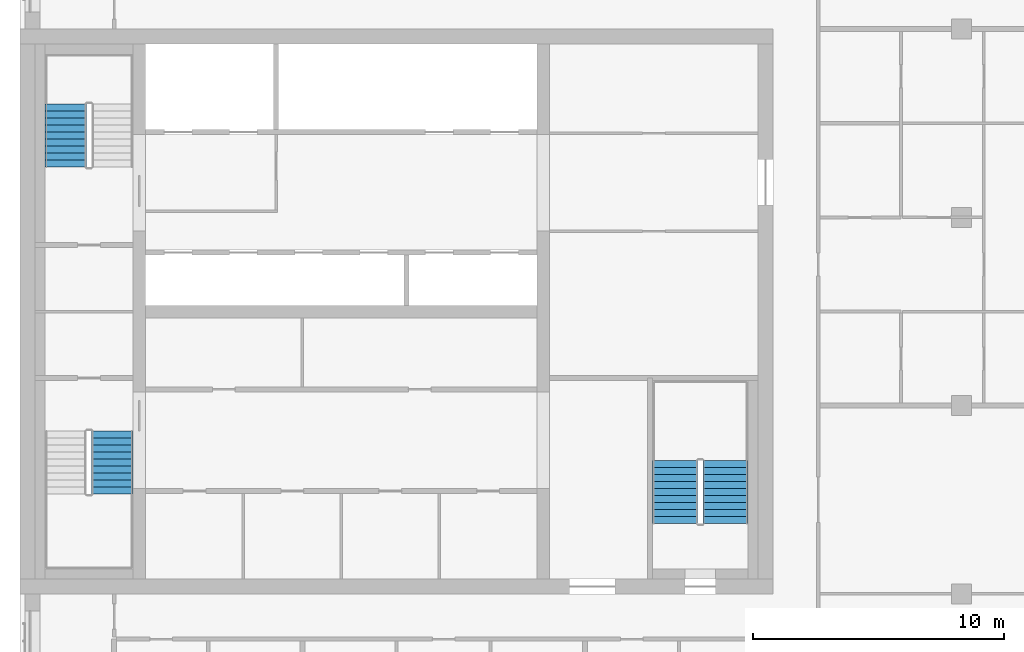
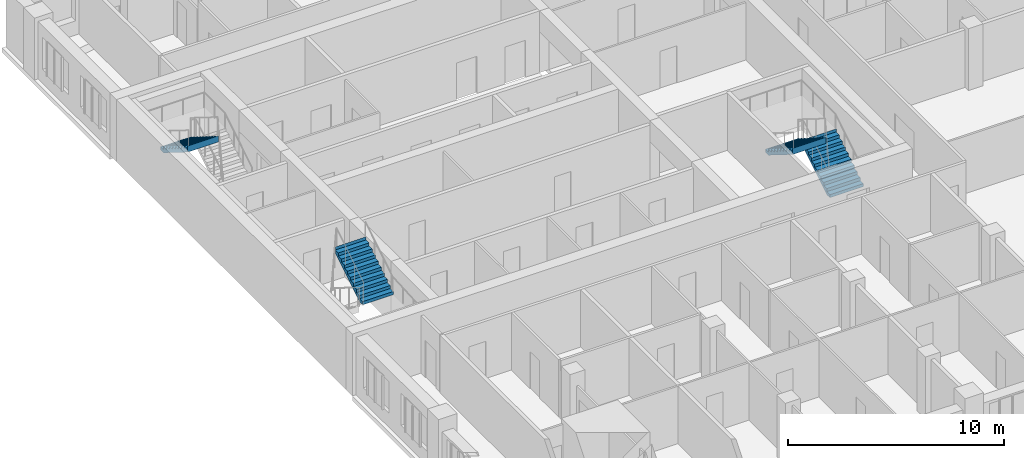
# One storey, part 9 of 11: 4 stair flights, 3 elements without a shape of their own.
"""IFC4 building model written with IfcOpenShell, lengths in metres."""

from ifc_helpers import new_model, si_unit, direction, frame, origin, place, context, subcontext, project, spatial, polyline, outline, extrude, material, type_object, element, aggregate, save


model = new_model("IFC4")

# Units and contexts
model_context = context("Model", 3, precision=1e-05, world=origin(), true_north=direction((0.0, 1.0)))
body_context = subcontext(model_context, "Body", "Model", "MODEL_VIEW")
ifc_project = project(units=[si_unit("LENGTHUNIT", "METRE"), si_unit("AREAUNIT", "SQUARE_METRE"), si_unit("VOLUMEUNIT", "CUBIC_METRE"), si_unit("PLANEANGLEUNIT", "RADIAN"), si_unit("MASSUNIT", "GRAM", prefix="KILO")], contexts=[model_context])

# Site, building, storey
site_placement = place(None, origin())
site = spatial("IfcSite", under=ifc_project, at=site_placement, CompositionType="ELEMENT")
building_placement = place(site_placement, origin())
building = spatial("IfcBuilding", under=site, at=building_placement, Name="Tamorin Gate", CompositionType="ELEMENT")
storey_placement = place(building_placement, frame((0.0, 0.0, 244.199951171875)))
storey = spatial("IfcBuildingStorey", under=building, at=storey_placement, Name="L61", CompositionType="ELEMENT", Elevation=244.199951171875)

# Stair, stair flight
ifc_material = material(Name="Concrete C40/50", Category="concrete")
stair_type = type_object("IfcStairType", Name="Exit stair", PredefinedType="HALF_TURN_STAIR", material=ifc_material)
stair_1_placement = place(storey_placement, origin())
stair_1 = element("IfcStair", 1, at=stair_1_placement, inside=storey, type_object=stair_type, Name="L61 stair ST1", PredefinedType="HALF_TURN_STAIR")
stair_flight_type = type_object("IfcStairFlightType", Name="Exit stair flight", PredefinedType="STRAIGHT", material=ifc_material)
stair_flight_1_placement = place(storey_placement, frame((33.675048828125, 63.97998046875, 1.75), z_axis=(0.0, 0.0, 1.0), x_axis=(0.0, 1.0, 0.0)))
stair_flight_1 = element("IfcStairFlight", 2, at=stair_flight_1_placement, type_object=stair_flight_type, Name="ST1 flight 2", NumberOfRisers=10, NumberOfTreads=9, PredefinedType="STRAIGHT", RiserHeight=0.175, TreadLength=0.28, context=body_context, shape_type="SweptSolid", body=[
    extrude(outline(polyline([(-0.00048828125, 0.0), (-0.00048828125, 0.001708984375), (-0.00048828125, 0.00341796875), (-0.00048828125, 0.005126953125), (-0.00048828125, 0.0068359375), (-0.00048828125, 0.008544921875), (-0.00048828125, 0.010498046875), (-0.00048828125, 0.01220703125), (-0.00048828125, 0.013916015625), (-0.00048828125, 0.015625), (-0.00048828125, 0.017333984375), (-0.00048828125, 0.01904296875), (-0.00048828125, 0.020751953125), (-0.00048828125, 0.0224609375), (-0.00048828125, 0.024169921875), (-0.00048828125, 0.02587890625), (-0.00048828125, 0.02783203125), (-0.00048828125, 0.029541015625), (-0.00048828125, 0.03125), (-0.00048828125, 0.032958984375), (-0.00048828125, 0.03466796875), (-0.00048828125, 0.036376953125), (-0.00048828125, 0.0380859375), (-0.00048828125, 0.039794921875), (-0.00048828125, 0.04150390625), (-0.00048828125, 0.043212890625), (-0.00048828125, 0.045166015625), (-0.00048828125, 0.046875), (-0.00048828125, 0.048583984375), (-0.00048828125, 0.05029296875), (-0.00048828125, 0.052001953125), (-0.00048828125, 0.0537109375), (-0.00048828125, 0.055419921875), (-0.00048828125, 0.05712890625), (-0.00048828125, 0.058837890625), (-0.00048828125, 0.060546875), (-0.00048828125, 0.062255859375), (-0.00048828125, 0.064208984375), (-0.00048828125, 0.06591796875), (-0.00048828125, 0.067626953125), (-0.00048828125, 0.0693359375), (-0.00048828125, 0.071044921875), (-0.00048828125, 0.07275390625), (-0.00048828125, 0.074462890625), (-0.00048828125, 0.076171875), (-0.00048828125, 0.077880859375), (-0.00048828125, 0.07958984375), (-0.00048828125, 0.08154296875), (-0.00048828125, 0.083251953125), (-0.00048828125, 0.0849609375), (-0.00048828125, 0.086669921875), (-0.00048828125, 0.08837890625), (-0.00048828125, 0.090087890625), (-0.00048828125, 0.091796875), (-0.00048828125, 0.093505859375), (-0.00048828125, 0.09521484375), (-0.00048828125, 0.096923828125), (-0.00048828125, 0.098876953125), (-0.00048828125, 0.1005859375), (-0.00048828125, 0.102294921875), (-0.00048828125, 0.10400390625), (-0.00048828125, 0.105712890625), (-0.00048828125, 0.107421875), (-0.00048828125, 0.109130859375), (-0.00048828125, 0.11083984375), (-0.00048828125, 0.112548828125), (-0.00048828125, 0.1142578125), (-0.00048828125, 0.1162109375), (-0.00048828125, 0.117919921875), (-0.00048828125, 0.11962890625), (-0.00048828125, 0.121337890625), (-0.00048828125, 0.123046875), (-0.00048828125, 0.124755859375), (-0.00048828125, 0.12646484375), (-0.00048828125, 0.128173828125), (-0.00048828125, 0.1298828125), (-0.00048828125, 0.131591796875), (-0.00048828125, 0.13330078125), (-0.00048828125, 0.13525390625), (-0.00048828125, 0.136962890625), (-0.00048828125, 0.138671875), (-0.00048828125, 0.140380859375), (-0.00048828125, 0.14208984375), (-0.00048828125, 0.143798828125), (-0.00048828125, 0.1455078125), (-0.00048828125, 0.147216796875), (-0.00048828125, 0.14892578125), (-0.00048828125, 0.150634765625), (-0.00048828125, 0.152587890625), (-0.00048828125, 0.154296875), (-0.00048828125, 0.156005859375), (-0.00048828125, 0.15771484375), (-0.00048828125, 0.159423828125), (-0.00048828125, 0.1611328125), (-0.00048828125, 0.162841796875), (-0.00048828125, 0.16455078125), (-0.00048828125, 0.166259765625), (-0.00048828125, 0.16796875), (-0.00048828125, 0.169921875), (-0.00048828125, 0.171630859375), (-0.00048828125, 0.17333984375), (-0.00048828125, 0.175048828125), (0.280029296875, 0.175048828125), (0.280029296875, 0.35009765625), (0.56005859375, 0.35009765625), (0.56005859375, 0.52490234375), (0.840087890625, 0.52490234375), (0.840087890625, 0.699951171875), (1.1201171875, 0.699951171875), (1.1201171875, 0.875), (1.39990234375, 0.875), (1.39990234375, 1.050048828125), (1.679931640625, 1.050048828125), (1.679931640625, 1.22509765625), (1.9599609375, 1.22509765625), (1.9599609375, 1.39990234375), (2.239990234375, 1.39990234375), (2.239990234375, 1.574951171875), (2.52001953125, 1.574951171875), (2.52001953125, 1.75), (2.5205078125, 1.75), (2.5205078125, 1.74658203125), (2.5205078125, 1.742919921875), (2.5205078125, 1.739501953125), (2.5205078125, 1.736083984375), (2.5205078125, 1.732666015625), (2.5205078125, 1.72900390625), (2.5205078125, 1.7255859375), (2.5205078125, 1.72216796875), (2.5205078125, 1.71875), (2.5205078125, 1.715087890625), (2.5205078125, 1.711669921875), (2.5205078125, 1.708251953125), (2.5205078125, 1.704833984375), (2.5205078125, 1.701171875), (2.5205078125, 1.69775390625), (2.5205078125, 1.6943359375), (2.5205078125, 1.690673828125), (2.5205078125, 1.687255859375), (2.5205078125, 1.683837890625), (2.5205078125, 1.680419921875), (2.5205078125, 1.6767578125), (2.5205078125, 1.67333984375), (2.5205078125, 1.669921875), (2.5205078125, 1.66650390625), (2.5205078125, 1.662841796875), (2.5205078125, 1.659423828125), (2.5205078125, 1.656005859375), (2.5205078125, 1.652587890625), (2.5205078125, 1.64892578125), (2.5205078125, 1.6455078125), (2.5205078125, 1.64208984375), (2.5205078125, 1.638427734375), (2.5205078125, 1.635009765625), (2.5205078125, 1.631591796875), (2.5205078125, 1.628173828125), (2.5205078125, 1.62451171875), (2.5205078125, 1.62109375), (2.5205078125, 1.61767578125), (2.5205078125, 1.6142578125), (2.5205078125, 1.610595703125), (2.5205078125, 1.607177734375), (2.5205078125, 1.603759765625), (2.5205078125, 1.600341796875), (2.5205078125, 1.5966796875), (2.5205078125, 1.59326171875), (2.5205078125, 1.58984375), (2.5205078125, 1.58642578125), (2.5205078125, 1.582763671875), (2.5205078125, 1.579345703125), (2.5205078125, 1.575927734375), (2.5205078125, 1.572265625), (2.5205078125, 1.56884765625), (2.5205078125, 1.5654296875), (2.5205078125, 1.56201171875), (2.5205078125, 1.558349609375), (2.5205078125, 1.554931640625), (2.5205078125, 1.551513671875), (2.5205078125, 1.548095703125), (2.5205078125, 1.54443359375), (2.5205078125, 1.541015625), (2.5205078125, 1.53759765625), (2.5205078125, 1.5341796875), (2.5205078125, 1.530517578125), (2.5205078125, 1.527099609375), (2.5205078125, 1.523681640625), (2.5205078125, 1.52001953125), (2.5205078125, 1.5166015625), (2.5205078125, 1.51318359375), (2.5205078125, 1.509765625), (2.5205078125, 1.506103515625), (2.5205078125, 1.502685546875), (2.5205078125, 1.499267578125), (2.5205078125, 1.495849609375), (2.5205078125, 1.4921875), (2.5205078125, 1.48876953125), (2.5205078125, 1.4853515625), (2.5205078125, 1.48193359375), (2.5205078125, 1.478271484375), (2.5205078125, 1.474853515625), (2.5205078125, 1.471435546875), (2.5205078125, 1.4677734375), (2.5205078125, 1.46435546875), (2.5205078125, 1.4609375), (2.5205078125, 1.45751953125), (2.5205078125, 1.453857421875), (2.5205078125, 1.450439453125), (2.5205078125, 1.447021484375), (2.5205078125, 1.443603515625), (2.5205078125, 1.43994140625), (2.5205078125, 1.4365234375), (2.5205078125, 1.43310546875), (2.5205078125, 1.4296875), (2.5205078125, 1.426025390625), (2.5205078125, 1.422607421875), (2.5205078125, 1.419189453125), (2.5205078125, 1.41552734375), (2.5205078125, 1.412109375), (2.5205078125, 1.40869140625), (2.5205078125, 1.4052734375), (2.5205078125, 1.401611328125), (2.5205078125, 1.398193359375), (2.52001953125, 1.398193359375), (0.28271484375, 0.0), (-0.00048828125, 0.0)])), frame((0.0, 0.824951171875, 0.0), z_axis=(0.0, -1.0, 0.0), x_axis=(1.0, 0.0, 0.0)), (0.0, 0.0, 1.0), 1.64990234375),
])
aggregate(stair_1, [stair_flight_1])

stair_2_placement = place(storey_placement, origin())
stair_2 = element("IfcStair", 3, at=stair_2_placement, inside=storey, type_object=stair_type, Name="L61 stair ST2", PredefinedType="HALF_TURN_STAIR")
stair_flight_2_placement = place(storey_placement, frame((31.824951171875, 79.52001953125, 1.75), z_axis=(0.0, 0.0, 1.0), x_axis=(0.0, -1.0, 0.0)))
stair_flight_2 = element("IfcStairFlight", 4, at=stair_flight_2_placement, type_object=stair_flight_type, Name="ST2 flight 2", NumberOfRisers=10, NumberOfTreads=9, PredefinedType="STRAIGHT", RiserHeight=0.175, TreadLength=0.28, context=body_context, shape_type="SweptSolid", body=[
    extrude(outline(polyline([(-0.00048828125, 0.0), (-0.00048828125, 0.001708984375), (-0.00048828125, 0.00341796875), (-0.00048828125, 0.005126953125), (-0.00048828125, 0.0068359375), (-0.00048828125, 0.008544921875), (-0.00048828125, 0.010498046875), (-0.00048828125, 0.01220703125), (-0.00048828125, 0.013916015625), (-0.00048828125, 0.015625), (-0.00048828125, 0.017333984375), (-0.00048828125, 0.01904296875), (-0.00048828125, 0.020751953125), (-0.00048828125, 0.0224609375), (-0.00048828125, 0.024169921875), (-0.00048828125, 0.02587890625), (-0.00048828125, 0.02783203125), (-0.00048828125, 0.029541015625), (-0.00048828125, 0.03125), (-0.00048828125, 0.032958984375), (-0.00048828125, 0.03466796875), (-0.00048828125, 0.036376953125), (-0.00048828125, 0.0380859375), (-0.00048828125, 0.039794921875), (-0.00048828125, 0.04150390625), (-0.00048828125, 0.043212890625), (-0.00048828125, 0.045166015625), (-0.00048828125, 0.046875), (-0.00048828125, 0.048583984375), (-0.00048828125, 0.05029296875), (-0.00048828125, 0.052001953125), (-0.00048828125, 0.0537109375), (-0.00048828125, 0.055419921875), (-0.00048828125, 0.05712890625), (-0.00048828125, 0.058837890625), (-0.00048828125, 0.060546875), (-0.00048828125, 0.062255859375), (-0.00048828125, 0.064208984375), (-0.00048828125, 0.06591796875), (-0.00048828125, 0.067626953125), (-0.00048828125, 0.0693359375), (-0.00048828125, 0.071044921875), (-0.00048828125, 0.07275390625), (-0.00048828125, 0.074462890625), (-0.00048828125, 0.076171875), (-0.00048828125, 0.077880859375), (-0.00048828125, 0.07958984375), (-0.00048828125, 0.08154296875), (-0.00048828125, 0.083251953125), (-0.00048828125, 0.0849609375), (-0.00048828125, 0.086669921875), (-0.00048828125, 0.08837890625), (-0.00048828125, 0.090087890625), (-0.00048828125, 0.091796875), (-0.00048828125, 0.093505859375), (-0.00048828125, 0.09521484375), (-0.00048828125, 0.096923828125), (-0.00048828125, 0.098876953125), (-0.00048828125, 0.1005859375), (-0.00048828125, 0.102294921875), (-0.00048828125, 0.10400390625), (-0.00048828125, 0.105712890625), (-0.00048828125, 0.107421875), (-0.00048828125, 0.109130859375), (-0.00048828125, 0.11083984375), (-0.00048828125, 0.112548828125), (-0.00048828125, 0.1142578125), (-0.00048828125, 0.1162109375), (-0.00048828125, 0.117919921875), (-0.00048828125, 0.11962890625), (-0.00048828125, 0.121337890625), (-0.00048828125, 0.123046875), (-0.00048828125, 0.124755859375), (-0.00048828125, 0.12646484375), (-0.00048828125, 0.128173828125), (-0.00048828125, 0.1298828125), (-0.00048828125, 0.131591796875), (-0.00048828125, 0.13330078125), (-0.00048828125, 0.13525390625), (-0.00048828125, 0.136962890625), (-0.00048828125, 0.138671875), (-0.00048828125, 0.140380859375), (-0.00048828125, 0.14208984375), (-0.00048828125, 0.143798828125), (-0.00048828125, 0.1455078125), (-0.00048828125, 0.147216796875), (-0.00048828125, 0.14892578125), (-0.00048828125, 0.150634765625), (-0.00048828125, 0.152587890625), (-0.00048828125, 0.154296875), (-0.00048828125, 0.156005859375), (-0.00048828125, 0.15771484375), (-0.00048828125, 0.159423828125), (-0.00048828125, 0.1611328125), (-0.00048828125, 0.162841796875), (-0.00048828125, 0.16455078125), (-0.00048828125, 0.166259765625), (-0.00048828125, 0.16796875), (-0.00048828125, 0.169921875), (-0.00048828125, 0.171630859375), (-0.00048828125, 0.17333984375), (-0.00048828125, 0.175048828125), (0.280029296875, 0.175048828125), (0.280029296875, 0.35009765625), (0.56005859375, 0.35009765625), (0.56005859375, 0.52490234375), (0.840087890625, 0.52490234375), (0.840087890625, 0.699951171875), (1.1201171875, 0.699951171875), (1.1201171875, 0.875), (1.39990234375, 0.875), (1.39990234375, 1.050048828125), (1.679931640625, 1.050048828125), (1.679931640625, 1.22509765625), (1.9599609375, 1.22509765625), (1.9599609375, 1.39990234375), (2.239990234375, 1.39990234375), (2.239990234375, 1.574951171875), (2.52001953125, 1.574951171875), (2.52001953125, 1.75), (2.5205078125, 1.75), (2.5205078125, 1.74658203125), (2.5205078125, 1.742919921875), (2.5205078125, 1.739501953125), (2.5205078125, 1.736083984375), (2.5205078125, 1.732666015625), (2.5205078125, 1.72900390625), (2.5205078125, 1.7255859375), (2.5205078125, 1.72216796875), (2.5205078125, 1.71875), (2.5205078125, 1.715087890625), (2.5205078125, 1.711669921875), (2.5205078125, 1.708251953125), (2.5205078125, 1.704833984375), (2.5205078125, 1.701171875), (2.5205078125, 1.69775390625), (2.5205078125, 1.6943359375), (2.5205078125, 1.690673828125), (2.5205078125, 1.687255859375), (2.5205078125, 1.683837890625), (2.5205078125, 1.680419921875), (2.5205078125, 1.6767578125), (2.5205078125, 1.67333984375), (2.5205078125, 1.669921875), (2.5205078125, 1.66650390625), (2.5205078125, 1.662841796875), (2.5205078125, 1.659423828125), (2.5205078125, 1.656005859375), (2.5205078125, 1.652587890625), (2.5205078125, 1.64892578125), (2.5205078125, 1.6455078125), (2.5205078125, 1.64208984375), (2.5205078125, 1.638427734375), (2.5205078125, 1.635009765625), (2.5205078125, 1.631591796875), (2.5205078125, 1.628173828125), (2.5205078125, 1.62451171875), (2.5205078125, 1.62109375), (2.5205078125, 1.61767578125), (2.5205078125, 1.6142578125), (2.5205078125, 1.610595703125), (2.5205078125, 1.607177734375), (2.5205078125, 1.603759765625), (2.5205078125, 1.600341796875), (2.5205078125, 1.5966796875), (2.5205078125, 1.59326171875), (2.5205078125, 1.58984375), (2.5205078125, 1.58642578125), (2.5205078125, 1.582763671875), (2.5205078125, 1.579345703125), (2.5205078125, 1.575927734375), (2.5205078125, 1.572265625), (2.5205078125, 1.56884765625), (2.5205078125, 1.5654296875), (2.5205078125, 1.56201171875), (2.5205078125, 1.558349609375), (2.5205078125, 1.554931640625), (2.5205078125, 1.551513671875), (2.5205078125, 1.548095703125), (2.5205078125, 1.54443359375), (2.5205078125, 1.541015625), (2.5205078125, 1.53759765625), (2.5205078125, 1.5341796875), (2.5205078125, 1.530517578125), (2.5205078125, 1.527099609375), (2.5205078125, 1.523681640625), (2.5205078125, 1.52001953125), (2.5205078125, 1.5166015625), (2.5205078125, 1.51318359375), (2.5205078125, 1.509765625), (2.5205078125, 1.506103515625), (2.5205078125, 1.502685546875), (2.5205078125, 1.499267578125), (2.5205078125, 1.495849609375), (2.5205078125, 1.4921875), (2.5205078125, 1.48876953125), (2.5205078125, 1.4853515625), (2.5205078125, 1.48193359375), (2.5205078125, 1.478271484375), (2.5205078125, 1.474853515625), (2.5205078125, 1.471435546875), (2.5205078125, 1.4677734375), (2.5205078125, 1.46435546875), (2.5205078125, 1.4609375), (2.5205078125, 1.45751953125), (2.5205078125, 1.453857421875), (2.5205078125, 1.450439453125), (2.5205078125, 1.447021484375), (2.5205078125, 1.443603515625), (2.5205078125, 1.43994140625), (2.5205078125, 1.4365234375), (2.5205078125, 1.43310546875), (2.5205078125, 1.4296875), (2.5205078125, 1.426025390625), (2.5205078125, 1.422607421875), (2.5205078125, 1.419189453125), (2.5205078125, 1.41552734375), (2.5205078125, 1.412109375), (2.5205078125, 1.40869140625), (2.5205078125, 1.4052734375), (2.5205078125, 1.401611328125), (2.5205078125, 1.398193359375), (2.52001953125, 1.398193359375), (0.28271484375, 0.0), (-0.00048828125, 0.0)])), frame((0.0, 0.824951171875, 0.0), z_axis=(0.0, -1.0, 0.0), x_axis=(1.0, 0.0, 0.0)), (0.0, 0.0, 1.0), 1.64990234375),
])
aggregate(stair_2, [stair_flight_2])

# Stair, stair flights
stair_3_placement = place(storey_placement, origin())
stair_3 = element("IfcStair", 5, at=stair_3_placement, inside=storey, type_object=stair_type, Name="L61 stair ST3", PredefinedType="HALF_TURN_STAIR")
stair_flight_3_placement = place(storey_placement, frame((58.10009765625, 62.800048828125, 0.0), z_axis=(0.0, 0.0, 1.0), x_axis=(0.0, 1.0, 0.0)))
stair_flight_3 = element("IfcStairFlight", 6, at=stair_flight_3_placement, type_object=stair_flight_type, Name="ST3 flight 1", NumberOfRisers=10, NumberOfTreads=9, PredefinedType="STRAIGHT", RiserHeight=0.175, TreadLength=0.28, context=body_context, shape_type="SweptSolid", body=[
    extrude(outline(polyline([(-0.00048828125, 0.0), (-0.00048828125, 0.001708984375), (-0.00048828125, 0.00341796875), (-0.00048828125, 0.005126953125), (-0.00048828125, 0.0068359375), (-0.00048828125, 0.008544921875), (-0.00048828125, 0.010498046875), (-0.00048828125, 0.01220703125), (-0.00048828125, 0.013916015625), (-0.00048828125, 0.015625), (-0.00048828125, 0.017333984375), (-0.00048828125, 0.01904296875), (-0.00048828125, 0.020751953125), (-0.00048828125, 0.0224609375), (-0.00048828125, 0.024169921875), (-0.00048828125, 0.02587890625), (-0.00048828125, 0.02783203125), (-0.00048828125, 0.029541015625), (-0.00048828125, 0.03125), (-0.00048828125, 0.032958984375), (-0.00048828125, 0.03466796875), (-0.00048828125, 0.036376953125), (-0.00048828125, 0.0380859375), (-0.00048828125, 0.039794921875), (-0.00048828125, 0.04150390625), (-0.00048828125, 0.043212890625), (-0.00048828125, 0.045166015625), (-0.00048828125, 0.046875), (-0.00048828125, 0.048583984375), (-0.00048828125, 0.05029296875), (-0.00048828125, 0.052001953125), (-0.00048828125, 0.0537109375), (-0.00048828125, 0.055419921875), (-0.00048828125, 0.05712890625), (-0.00048828125, 0.058837890625), (-0.00048828125, 0.060546875), (-0.00048828125, 0.062255859375), (-0.00048828125, 0.064208984375), (-0.00048828125, 0.06591796875), (-0.00048828125, 0.067626953125), (-0.00048828125, 0.0693359375), (-0.00048828125, 0.071044921875), (-0.00048828125, 0.07275390625), (-0.00048828125, 0.074462890625), (-0.00048828125, 0.076171875), (-0.00048828125, 0.077880859375), (-0.00048828125, 0.07958984375), (-0.00048828125, 0.08154296875), (-0.00048828125, 0.083251953125), (-0.00048828125, 0.0849609375), (-0.00048828125, 0.086669921875), (-0.00048828125, 0.08837890625), (-0.00048828125, 0.090087890625), (-0.00048828125, 0.091796875), (-0.00048828125, 0.093505859375), (-0.00048828125, 0.09521484375), (-0.00048828125, 0.096923828125), (-0.00048828125, 0.098876953125), (-0.00048828125, 0.1005859375), (-0.00048828125, 0.102294921875), (-0.00048828125, 0.10400390625), (-0.00048828125, 0.105712890625), (-0.00048828125, 0.107421875), (-0.00048828125, 0.109130859375), (-0.00048828125, 0.11083984375), (-0.00048828125, 0.112548828125), (-0.00048828125, 0.1142578125), (-0.00048828125, 0.1162109375), (-0.00048828125, 0.117919921875), (-0.00048828125, 0.11962890625), (-0.00048828125, 0.121337890625), (-0.00048828125, 0.123046875), (-0.00048828125, 0.124755859375), (-0.00048828125, 0.12646484375), (-0.00048828125, 0.128173828125), (-0.00048828125, 0.1298828125), (-0.00048828125, 0.131591796875), (-0.00048828125, 0.13330078125), (-0.00048828125, 0.13525390625), (-0.00048828125, 0.136962890625), (-0.00048828125, 0.138671875), (-0.00048828125, 0.140380859375), (-0.00048828125, 0.14208984375), (-0.00048828125, 0.143798828125), (-0.00048828125, 0.1455078125), (-0.00048828125, 0.147216796875), (-0.00048828125, 0.14892578125), (-0.00048828125, 0.150634765625), (-0.00048828125, 0.152587890625), (-0.00048828125, 0.154296875), (-0.00048828125, 0.156005859375), (-0.00048828125, 0.15771484375), (-0.00048828125, 0.159423828125), (-0.00048828125, 0.1611328125), (-0.00048828125, 0.162841796875), (-0.00048828125, 0.16455078125), (-0.00048828125, 0.166259765625), (-0.00048828125, 0.16796875), (-0.00048828125, 0.169921875), (-0.00048828125, 0.171630859375), (-0.00048828125, 0.17333984375), (-0.00048828125, 0.175048828125), (0.280029296875, 0.175048828125), (0.280029296875, 0.35009765625), (0.56005859375, 0.35009765625), (0.56005859375, 0.52490234375), (0.840087890625, 0.52490234375), (0.840087890625, 0.699951171875), (1.1201171875, 0.699951171875), (1.1201171875, 0.875), (1.39990234375, 0.875), (1.39990234375, 1.050048828125), (1.679931640625, 1.050048828125), (1.679931640625, 1.22509765625), (1.9599609375, 1.22509765625), (1.9599609375, 1.39990234375), (2.239990234375, 1.39990234375), (2.239990234375, 1.574951171875), (2.52001953125, 1.574951171875), (2.52001953125, 1.75), (2.5205078125, 1.75), (2.5205078125, 1.74658203125), (2.5205078125, 1.742919921875), (2.5205078125, 1.739501953125), (2.5205078125, 1.736083984375), (2.5205078125, 1.732666015625), (2.5205078125, 1.72900390625), (2.5205078125, 1.7255859375), (2.5205078125, 1.72216796875), (2.5205078125, 1.71875), (2.5205078125, 1.715087890625), (2.5205078125, 1.711669921875), (2.5205078125, 1.708251953125), (2.5205078125, 1.704833984375), (2.5205078125, 1.701171875), (2.5205078125, 1.69775390625), (2.5205078125, 1.6943359375), (2.5205078125, 1.690673828125), (2.5205078125, 1.687255859375), (2.5205078125, 1.683837890625), (2.5205078125, 1.680419921875), (2.5205078125, 1.6767578125), (2.5205078125, 1.67333984375), (2.5205078125, 1.669921875), (2.5205078125, 1.66650390625), (2.5205078125, 1.662841796875), (2.5205078125, 1.659423828125), (2.5205078125, 1.656005859375), (2.5205078125, 1.652587890625), (2.5205078125, 1.64892578125), (2.5205078125, 1.6455078125), (2.5205078125, 1.64208984375), (2.5205078125, 1.638427734375), (2.5205078125, 1.635009765625), (2.5205078125, 1.631591796875), (2.5205078125, 1.628173828125), (2.5205078125, 1.62451171875), (2.5205078125, 1.62109375), (2.5205078125, 1.61767578125), (2.5205078125, 1.6142578125), (2.5205078125, 1.610595703125), (2.5205078125, 1.607177734375), (2.5205078125, 1.603759765625), (2.5205078125, 1.600341796875), (2.5205078125, 1.5966796875), (2.5205078125, 1.59326171875), (2.5205078125, 1.58984375), (2.5205078125, 1.58642578125), (2.5205078125, 1.582763671875), (2.5205078125, 1.579345703125), (2.5205078125, 1.575927734375), (2.5205078125, 1.572265625), (2.5205078125, 1.56884765625), (2.5205078125, 1.5654296875), (2.5205078125, 1.56201171875), (2.5205078125, 1.558349609375), (2.5205078125, 1.554931640625), (2.5205078125, 1.551513671875), (2.5205078125, 1.548095703125), (2.5205078125, 1.54443359375), (2.5205078125, 1.541015625), (2.5205078125, 1.53759765625), (2.5205078125, 1.5341796875), (2.5205078125, 1.530517578125), (2.5205078125, 1.527099609375), (2.5205078125, 1.523681640625), (2.5205078125, 1.52001953125), (2.5205078125, 1.5166015625), (2.5205078125, 1.51318359375), (2.5205078125, 1.509765625), (2.5205078125, 1.506103515625), (2.5205078125, 1.502685546875), (2.5205078125, 1.499267578125), (2.5205078125, 1.495849609375), (2.5205078125, 1.4921875), (2.5205078125, 1.48876953125), (2.5205078125, 1.4853515625), (2.5205078125, 1.48193359375), (2.5205078125, 1.478271484375), (2.5205078125, 1.474853515625), (2.5205078125, 1.471435546875), (2.5205078125, 1.4677734375), (2.5205078125, 1.46435546875), (2.5205078125, 1.4609375), (2.5205078125, 1.45751953125), (2.5205078125, 1.453857421875), (2.5205078125, 1.450439453125), (2.5205078125, 1.447021484375), (2.5205078125, 1.443603515625), (2.5205078125, 1.43994140625), (2.5205078125, 1.4365234375), (2.5205078125, 1.43310546875), (2.5205078125, 1.4296875), (2.5205078125, 1.426025390625), (2.5205078125, 1.422607421875), (2.5205078125, 1.419189453125), (2.5205078125, 1.41552734375), (2.5205078125, 1.412109375), (2.5205078125, 1.40869140625), (2.5205078125, 1.4052734375), (2.5205078125, 1.401611328125), (2.5205078125, 1.398193359375), (2.52001953125, 1.398193359375), (0.28271484375, 0.0), (-0.00048828125, 0.0)])), frame((0.0, 0.89990234375, 0.0), z_axis=(0.0, -1.0, 0.0), x_axis=(1.0, 0.0, 0.0)), (0.0, 0.0, 1.0), 1.800048828125),
])
stair_flight_4_placement = place(storey_placement, frame((56.10009765625, 65.320068359375, 1.75), z_axis=(0.0, 0.0, 1.0), x_axis=(0.0, -1.0, 0.0)))
stair_flight_4 = element("IfcStairFlight", 7, at=stair_flight_4_placement, type_object=stair_flight_type, Name="ST3 flight 2", NumberOfRisers=10, NumberOfTreads=9, PredefinedType="STRAIGHT", RiserHeight=0.175, TreadLength=0.28, context=body_context, shape_type="SweptSolid", body=[
    extrude(outline(polyline([(-0.00048828125, 0.0), (-0.00048828125, 0.001708984375), (-0.00048828125, 0.00341796875), (-0.00048828125, 0.005126953125), (-0.00048828125, 0.0068359375), (-0.00048828125, 0.008544921875), (-0.00048828125, 0.010498046875), (-0.00048828125, 0.01220703125), (-0.00048828125, 0.013916015625), (-0.00048828125, 0.015625), (-0.00048828125, 0.017333984375), (-0.00048828125, 0.01904296875), (-0.00048828125, 0.020751953125), (-0.00048828125, 0.0224609375), (-0.00048828125, 0.024169921875), (-0.00048828125, 0.02587890625), (-0.00048828125, 0.02783203125), (-0.00048828125, 0.029541015625), (-0.00048828125, 0.03125), (-0.00048828125, 0.032958984375), (-0.00048828125, 0.03466796875), (-0.00048828125, 0.036376953125), (-0.00048828125, 0.0380859375), (-0.00048828125, 0.039794921875), (-0.00048828125, 0.04150390625), (-0.00048828125, 0.043212890625), (-0.00048828125, 0.045166015625), (-0.00048828125, 0.046875), (-0.00048828125, 0.048583984375), (-0.00048828125, 0.05029296875), (-0.00048828125, 0.052001953125), (-0.00048828125, 0.0537109375), (-0.00048828125, 0.055419921875), (-0.00048828125, 0.05712890625), (-0.00048828125, 0.058837890625), (-0.00048828125, 0.060546875), (-0.00048828125, 0.062255859375), (-0.00048828125, 0.064208984375), (-0.00048828125, 0.06591796875), (-0.00048828125, 0.067626953125), (-0.00048828125, 0.0693359375), (-0.00048828125, 0.071044921875), (-0.00048828125, 0.07275390625), (-0.00048828125, 0.074462890625), (-0.00048828125, 0.076171875), (-0.00048828125, 0.077880859375), (-0.00048828125, 0.07958984375), (-0.00048828125, 0.08154296875), (-0.00048828125, 0.083251953125), (-0.00048828125, 0.0849609375), (-0.00048828125, 0.086669921875), (-0.00048828125, 0.08837890625), (-0.00048828125, 0.090087890625), (-0.00048828125, 0.091796875), (-0.00048828125, 0.093505859375), (-0.00048828125, 0.09521484375), (-0.00048828125, 0.096923828125), (-0.00048828125, 0.098876953125), (-0.00048828125, 0.1005859375), (-0.00048828125, 0.102294921875), (-0.00048828125, 0.10400390625), (-0.00048828125, 0.105712890625), (-0.00048828125, 0.107421875), (-0.00048828125, 0.109130859375), (-0.00048828125, 0.11083984375), (-0.00048828125, 0.112548828125), (-0.00048828125, 0.1142578125), (-0.00048828125, 0.1162109375), (-0.00048828125, 0.117919921875), (-0.00048828125, 0.11962890625), (-0.00048828125, 0.121337890625), (-0.00048828125, 0.123046875), (-0.00048828125, 0.124755859375), (-0.00048828125, 0.12646484375), (-0.00048828125, 0.128173828125), (-0.00048828125, 0.1298828125), (-0.00048828125, 0.131591796875), (-0.00048828125, 0.13330078125), (-0.00048828125, 0.13525390625), (-0.00048828125, 0.136962890625), (-0.00048828125, 0.138671875), (-0.00048828125, 0.140380859375), (-0.00048828125, 0.14208984375), (-0.00048828125, 0.143798828125), (-0.00048828125, 0.1455078125), (-0.00048828125, 0.147216796875), (-0.00048828125, 0.14892578125), (-0.00048828125, 0.150634765625), (-0.00048828125, 0.152587890625), (-0.00048828125, 0.154296875), (-0.00048828125, 0.156005859375), (-0.00048828125, 0.15771484375), (-0.00048828125, 0.159423828125), (-0.00048828125, 0.1611328125), (-0.00048828125, 0.162841796875), (-0.00048828125, 0.16455078125), (-0.00048828125, 0.166259765625), (-0.00048828125, 0.16796875), (-0.00048828125, 0.169921875), (-0.00048828125, 0.171630859375), (-0.00048828125, 0.17333984375), (-0.00048828125, 0.175048828125), (0.280029296875, 0.175048828125), (0.280029296875, 0.35009765625), (0.56005859375, 0.35009765625), (0.56005859375, 0.52490234375), (0.840087890625, 0.52490234375), (0.840087890625, 0.699951171875), (1.1201171875, 0.699951171875), (1.1201171875, 0.875), (1.39990234375, 0.875), (1.39990234375, 1.050048828125), (1.679931640625, 1.050048828125), (1.679931640625, 1.22509765625), (1.9599609375, 1.22509765625), (1.9599609375, 1.39990234375), (2.239990234375, 1.39990234375), (2.239990234375, 1.574951171875), (2.52001953125, 1.574951171875), (2.52001953125, 1.75), (2.5205078125, 1.75), (2.5205078125, 1.74658203125), (2.5205078125, 1.742919921875), (2.5205078125, 1.739501953125), (2.5205078125, 1.736083984375), (2.5205078125, 1.732666015625), (2.5205078125, 1.72900390625), (2.5205078125, 1.7255859375), (2.5205078125, 1.72216796875), (2.5205078125, 1.71875), (2.5205078125, 1.715087890625), (2.5205078125, 1.711669921875), (2.5205078125, 1.708251953125), (2.5205078125, 1.704833984375), (2.5205078125, 1.701171875), (2.5205078125, 1.69775390625), (2.5205078125, 1.6943359375), (2.5205078125, 1.690673828125), (2.5205078125, 1.687255859375), (2.5205078125, 1.683837890625), (2.5205078125, 1.680419921875), (2.5205078125, 1.6767578125), (2.5205078125, 1.67333984375), (2.5205078125, 1.669921875), (2.5205078125, 1.66650390625), (2.5205078125, 1.662841796875), (2.5205078125, 1.659423828125), (2.5205078125, 1.656005859375), (2.5205078125, 1.652587890625), (2.5205078125, 1.64892578125), (2.5205078125, 1.6455078125), (2.5205078125, 1.64208984375), (2.5205078125, 1.638427734375), (2.5205078125, 1.635009765625), (2.5205078125, 1.631591796875), (2.5205078125, 1.628173828125), (2.5205078125, 1.62451171875), (2.5205078125, 1.62109375), (2.5205078125, 1.61767578125), (2.5205078125, 1.6142578125), (2.5205078125, 1.610595703125), (2.5205078125, 1.607177734375), (2.5205078125, 1.603759765625), (2.5205078125, 1.600341796875), (2.5205078125, 1.5966796875), (2.5205078125, 1.59326171875), (2.5205078125, 1.58984375), (2.5205078125, 1.58642578125), (2.5205078125, 1.582763671875), (2.5205078125, 1.579345703125), (2.5205078125, 1.575927734375), (2.5205078125, 1.572265625), (2.5205078125, 1.56884765625), (2.5205078125, 1.5654296875), (2.5205078125, 1.56201171875), (2.5205078125, 1.558349609375), (2.5205078125, 1.554931640625), (2.5205078125, 1.551513671875), (2.5205078125, 1.548095703125), (2.5205078125, 1.54443359375), (2.5205078125, 1.541015625), (2.5205078125, 1.53759765625), (2.5205078125, 1.5341796875), (2.5205078125, 1.530517578125), (2.5205078125, 1.527099609375), (2.5205078125, 1.523681640625), (2.5205078125, 1.52001953125), (2.5205078125, 1.5166015625), (2.5205078125, 1.51318359375), (2.5205078125, 1.509765625), (2.5205078125, 1.506103515625), (2.5205078125, 1.502685546875), (2.5205078125, 1.499267578125), (2.5205078125, 1.495849609375), (2.5205078125, 1.4921875), (2.5205078125, 1.48876953125), (2.5205078125, 1.4853515625), (2.5205078125, 1.48193359375), (2.5205078125, 1.478271484375), (2.5205078125, 1.474853515625), (2.5205078125, 1.471435546875), (2.5205078125, 1.4677734375), (2.5205078125, 1.46435546875), (2.5205078125, 1.4609375), (2.5205078125, 1.45751953125), (2.5205078125, 1.453857421875), (2.5205078125, 1.450439453125), (2.5205078125, 1.447021484375), (2.5205078125, 1.443603515625), (2.5205078125, 1.43994140625), (2.5205078125, 1.4365234375), (2.5205078125, 1.43310546875), (2.5205078125, 1.4296875), (2.5205078125, 1.426025390625), (2.5205078125, 1.422607421875), (2.5205078125, 1.419189453125), (2.5205078125, 1.41552734375), (2.5205078125, 1.412109375), (2.5205078125, 1.40869140625), (2.5205078125, 1.4052734375), (2.5205078125, 1.401611328125), (2.5205078125, 1.398193359375), (2.52001953125, 1.398193359375), (0.28271484375, 0.0), (-0.00048828125, 0.0)])), frame((0.0, 0.89990234375, 0.0), z_axis=(0.0, -1.0, 0.0), x_axis=(1.0, 0.0, 0.0)), (0.0, 0.0, 1.0), 1.800048828125),
])
aggregate(stair_3, [stair_flight_3, stair_flight_4])

save(model, "model.ifc")
